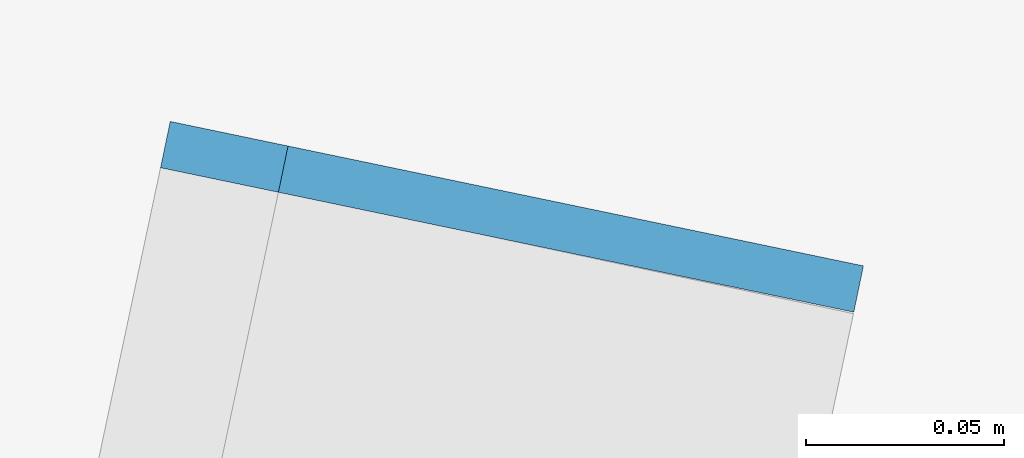
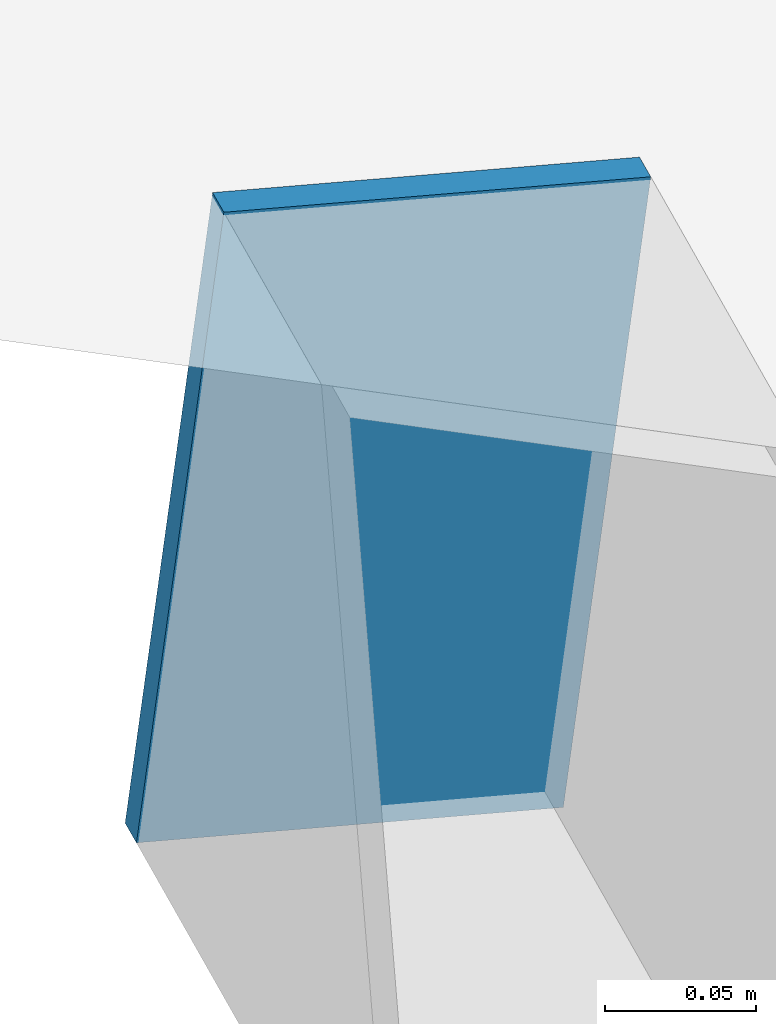
# One storey, part 182 of 196: 1 discrete accessory.
"""IFC4 building model written with IfcOpenShell, lengths in metres."""

from ifc_helpers import new_model, si_unit, direction, frame, origin, origin_2d, place, context, subcontext, project, spatial, rectangle, extrude, material, layer, layer_set, type_object, element, save


model = new_model("IFC4")

# Units and contexts
model_context = context("Model", 3, precision=1e-05, world=origin(), true_north=direction((0.0, 1.0)))
body_context = subcontext(model_context, "Body", "Model", "MODEL_VIEW")
ifc_project = project(units=[si_unit("LENGTHUNIT", "METRE"), si_unit("AREAUNIT", "SQUARE_METRE"), si_unit("VOLUMEUNIT", "CUBIC_METRE"), si_unit("PLANEANGLEUNIT", "RADIAN"), si_unit("MASSUNIT", "GRAM", prefix="KILO")], contexts=[model_context])

# Site, building, storey
site_placement = place(None, origin())
site = spatial("IfcSite", under=ifc_project, at=site_placement, CompositionType="ELEMENT")
building_placement = place(site_placement, origin())
building = spatial("IfcBuilding", under=site, at=building_placement, Name="Okhra Congress Centre", CompositionType="ELEMENT")
storey_placement = place(building_placement, frame((0.0, 0.0, 12.0)))
storey = spatial("IfcBuildingStorey", under=building, at=storey_placement, Name="L02", CompositionType="ELEMENT", Elevation=12.0)

# Discrete accessory
ifc_material = material(Name="Steel S355J2", Category="steel")
ifc_layer = layer(ifc_material, 0.011962890625)
ifc_layer_set = layer_set([ifc_layer], Name="Hollow section end cap 12 mm S355")
discrete_accessory_type = type_object("IfcDiscreteAccessoryType", Name="Hollow section end cap 12 mm S355", PredefinedType="BRACKET", material=ifc_layer_set)
discrete_accessory_placement = place(storey_placement, frame((261.656494140625, 125.854248046875, 0.21142578125), z_axis=(0.203954254112, 0.978980419738, 0.0), x_axis=(-0.971683248143, 0.20243401003, 0.121869343405)))
element("IfcDiscreteAccessory", 1, at=discrete_accessory_placement, inside=storey, type_object=discrete_accessory_type, Name="Hollow section end cap", PredefinedType="BRACKET", context=body_context, shape_type="SweptSolid", body=[
    extrude(rectangle(XDim=0.14990234375, YDim=0.25, at=origin_2d()), origin(), (0.0, 0.0, 1.0), 0.011962890625),
])

save(model, "model.ifc")
